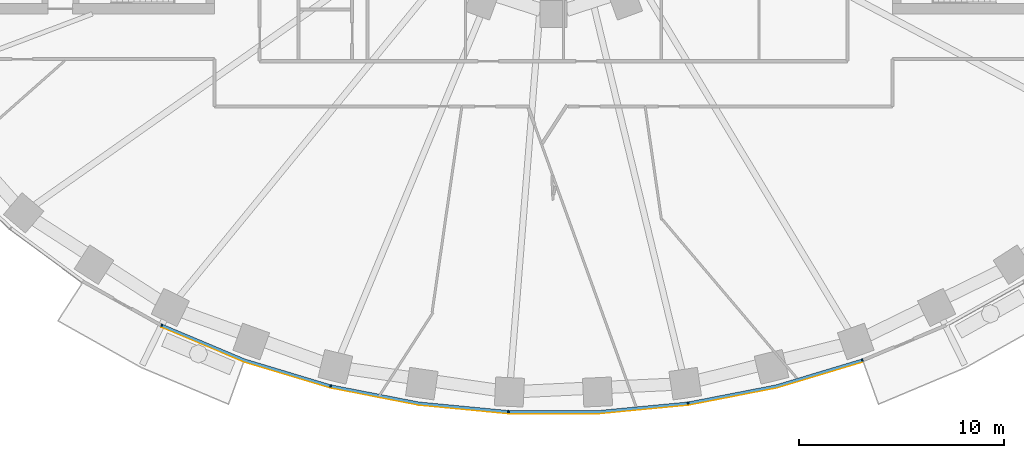
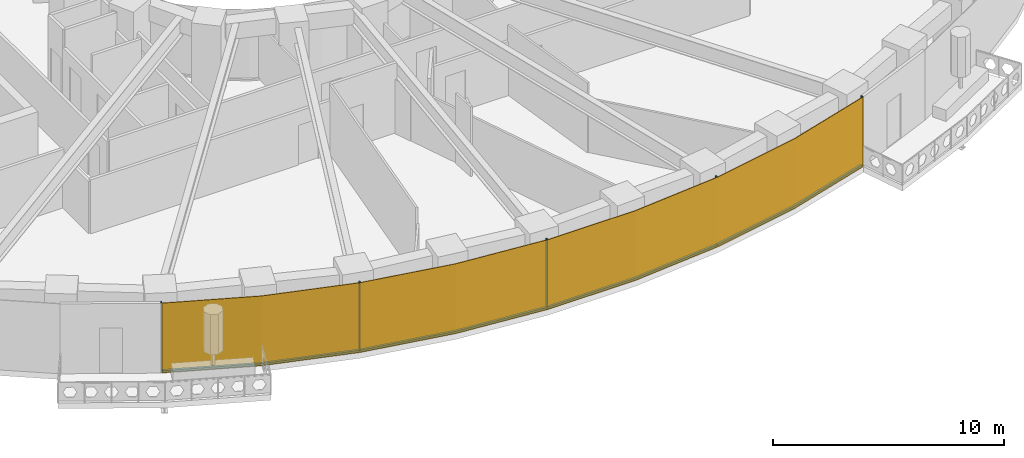
# One storey, part 9 of 15: 9 members, 1 curtain wall.
"""IFC4 building model written with IfcOpenShell, lengths in metres."""

import ifcopenshell
import ifcopenshell.guid

model = None  # the IFC model being written
_history = None  # IfcOwnerHistory: only IFC2X3 demands one
_inside = {}  # id of a spatial element -> (the spatial element, [elements in it])
_under = {}  # id of a project, library or spatial element -> (it, [spatial elements below it])
_declared = {}  # id of a project -> (the project, [libraries it declares])
_typed = {}  # id of a type object -> (the type object, [elements of that type])
_made_of = {}  # id of a material, layer set ... -> (it, [elements and type objects made of it])


def new_model(schema):
    """Start an empty IFC model of exactly this schema.

    Asked for "IFC4X3", IfcOpenShell would pick the latest addendum, in which some entities
    have other attributes; the version numbers below select the first issue.
    IFC2X3 requires an IfcOwnerHistory on every rooted entity: one is made here for all.
    """
    global model, _history
    if schema == "IFC4X3":
        model = ifcopenshell.file(schema_version=(4, 3, 0, 0))
    else:
        model = ifcopenshell.file(schema=schema)
    _inside.clear()
    _under.clear()
    _declared.clear()
    _typed.clear()
    _made_of.clear()
    _history = None
    if model.schema == "IFC2X3":
        org = make("IfcOrganization", Name="unknown")
        user = make(
            "IfcPersonAndOrganization",
            ThePerson=make("IfcPerson", FamilyName="unknown"),
            TheOrganization=org,
        )
        app = make(
            "IfcApplication",
            ApplicationDeveloper=org,
            Version="unknown",
            ApplicationFullName="unknown",
            ApplicationIdentifier="unknown",
        )
        _history = make(
            "IfcOwnerHistory",
            OwningUser=user,
            OwningApplication=app,
            ChangeAction="ADDED",
            CreationDate=0,
        )
    return model


def make(cls, **values):
    """One entity of the class cls with the attributes given. An attribute that is None is left unset."""
    return model.create_entity(
        cls, **{name: value for name, value in values.items() if value is not None}
    )


def rooted(cls, **values):
    """An entity with a GlobalId (a new one), such as an element, a storey or a relation."""
    return make(cls, GlobalId=ifcopenshell.guid.new(), OwnerHistory=_history, **values)


def si_unit(unit_type, name, prefix=None):
    """IfcSIUnit, for example si_unit("LENGTHUNIT", "METRE", prefix="MILLI")."""
    return make("IfcSIUnit", UnitType=unit_type, Prefix=prefix, Name=name)


def assignment(units):
    """IfcUnitAssignment: the units of a project."""
    return None if units is None else make("IfcUnitAssignment", Units=units)


def point(xyz):
    """IfcCartesianPoint."""
    return None if xyz is None else make("IfcCartesianPoint", Coordinates=xyz)


def direction(xyz):
    """IfcDirection."""
    return None if xyz is None else make("IfcDirection", DirectionRatios=xyz)


def frame(location, z_axis=None, x_axis=None):
    """IfcAxis2Placement3D, a coordinate frame: its origin and axes. An axis left out is left unset."""
    return make(
        "IfcAxis2Placement3D",
        Location=point(location),
        Axis=direction(z_axis),
        RefDirection=direction(x_axis),
    )


def frame_2d(location, x_axis=None):
    """IfcAxis2Placement2D, a coordinate frame in the plane: its origin and x axis."""
    return make(
        "IfcAxis2Placement2D", Location=point(location), RefDirection=direction(x_axis)
    )


def origin():
    """The frame at (0, 0, 0) with its axes left unset."""
    return frame((0.0, 0.0, 0.0))


def origin_2d():
    """The frame at (0, 0) in the plane with its x axis left unset."""
    return frame_2d((0.0, 0.0))


def place(relative_to, where):
    """IfcLocalPlacement: puts the frame where relative to a parent placement (None: the world)."""
    return make(
        "IfcLocalPlacement", PlacementRelTo=relative_to, RelativePlacement=where
    )


def context(
    kind, dimensions, precision=None, world=None, true_north=None, identifier=None
):
    """IfcGeometricRepresentationContext, for example the 3D "Model" context."""
    return make(
        "IfcGeometricRepresentationContext",
        ContextIdentifier=identifier,
        ContextType=kind,
        CoordinateSpaceDimension=dimensions,
        Precision=precision,
        WorldCoordinateSystem=world,
        TrueNorth=true_north,
    )


def subcontext(parent, identifier, kind, view, scale=None):
    """IfcGeometricRepresentationSubContext, for example "Body" below "Model"."""
    return make(
        "IfcGeometricRepresentationSubContext",
        ContextIdentifier=identifier,
        ContextType=kind,
        ParentContext=parent,
        TargetScale=scale,
        TargetView=view,
    )


def project(units=None, contexts=None):
    """IfcProject with its units and contexts."""
    return rooted(
        "IfcProject",
        Name="project",
        RepresentationContexts=contexts,
        UnitsInContext=assignment(units),
    )


def spatial(cls, under=None, at=None, **own):
    """A site, building, storey or space (cls), placed at a placement, below another one or the project."""
    s = rooted(cls, ObjectPlacement=at, **own)
    if under is not None:
        _under.setdefault(under.id(), (under, []))[1].append(s)
    return s


def polyline(points):
    """IfcPolyline through the points."""
    return make("IfcPolyline", Points=[point(p) for p in points])


def profile(cls, at=None, kind="AREA", **sizes):
    """A parametric profile (cls). Its sizes go by their IFC names, for example OverallWidth=200.0."""
    return make(cls, ProfileType=kind, Position=at, **sizes)


def rectangle(**sizes):
    """IfcRectangleProfileDef."""
    return profile("IfcRectangleProfileDef", **sizes)


def outline(outer, holes=None, kind="AREA"):
    """IfcArbitraryClosedProfileDef: a profile drawn as a closed curve; with holes, ...WithVoids."""
    if holes is None:
        return make("IfcArbitraryClosedProfileDef", ProfileType=kind, OuterCurve=outer)
    return make(
        "IfcArbitraryProfileDefWithVoids",
        ProfileType=kind,
        OuterCurve=outer,
        InnerCurves=holes,
    )


def extrude(swept, where, along, depth):
    """IfcExtrudedAreaSolid: the profile swept, set in the frame where, extruded along a direction by depth."""
    return make(
        "IfcExtrudedAreaSolid",
        SweptArea=swept,
        Position=where,
        ExtrudedDirection=direction(along),
        Depth=depth,
    )


def shape(context_of_items, identifier, shape_type, items):
    """IfcShapeRepresentation: the items that make up one representation, for example the "Body"."""
    return make(
        "IfcShapeRepresentation",
        ContextOfItems=context_of_items,
        RepresentationIdentifier=identifier,
        RepresentationType=shape_type,
        Items=items,
    )


def material(Name=None, Category=None):
    """IfcMaterial."""
    return make("IfcMaterial", Name=Name, Category=Category)


def layer(
    of_material, thickness, ventilated=None, Name=None, Category=None, Priority=None
):
    """IfcMaterialLayer: one layer of a wall or slab, of a material (None: an air gap)."""
    return make(
        "IfcMaterialLayer",
        Material=of_material,
        LayerThickness=thickness,
        IsVentilated=ventilated,
        Name=Name,
        Category=Category,
        Priority=Priority,
    )


def layer_set(layers, Name=None):
    """IfcMaterialLayerSet."""
    return make("IfcMaterialLayerSet", MaterialLayers=layers, LayerSetName=Name)


def material_profile(
    of_material, cross_section, Name=None, Category=None, Priority=None
):
    """IfcMaterialProfile: a cross section and its material."""
    return make(
        "IfcMaterialProfile",
        Name=Name,
        Material=of_material,
        Profile=cross_section,
        Priority=Priority,
        Category=Category,
    )


def profile_set(profiles, Name=None, composite=None):
    """IfcMaterialProfileSet."""
    return make(
        "IfcMaterialProfileSet",
        Name=Name,
        MaterialProfiles=profiles,
        CompositeProfile=composite,
    )


def made_of(thing, what):
    """Note that an element or type object is made of a material, layer set ...; save() writes the relation."""
    if what is not None:
        _made_of.setdefault(what.id(), (what, []))[1].append(thing)
    return thing


def type_object(cls, material=None, **own):
    """A type object (cls), such as IfcWallType, which elements share."""
    return made_of(rooted(cls, **own), material)


def element(
    cls,
    number,
    at=None,
    inside=None,
    cuts=None,
    type_object=None,
    material=None,
    context=None,
    identifier="Body",
    shape_type=None,
    held_by="IfcProductDefinitionShape",
    body=None,
    shapes=None,
    **own,
):
    """One element of the class cls, such as IfcWall. Its Tag is "e" and its number.

    at: its placement. inside: the storey or other place that contains it. cuts: it is an
    opening in that element (IfcRelVoidsElement). A single representation is given by context,
    identifier, shape_type and body (its items); several are given by shapes. held_by: the class
    of the entity that holds the representations. save() writes the other relations.
    """
    e = rooted(cls, Tag="e%d" % number, ObjectPlacement=at, **own)
    if body is not None:
        shapes = [shape(context, identifier, shape_type, body)]
    if shapes is not None:
        e.Representation = make(held_by, Representations=shapes)
    if inside is not None:
        _inside.setdefault(inside.id(), (inside, []))[1].append(e)
    if cuts is not None:
        rooted(
            "IfcRelVoidsElement", RelatingBuildingElement=cuts, RelatedOpeningElement=e
        )
    if type_object is not None:
        _typed.setdefault(type_object.id(), (type_object, []))[1].append(e)
    return made_of(e, material)


def aggregate(whole, parts):
    """IfcRelAggregates: a whole, such as a stair, and the parts it consists of."""
    return rooted("IfcRelAggregates", RelatingObject=whole, RelatedObjects=parts)


def save(model, path):
    """Write the relations noted so far, then the file.

    IfcRelAggregates (storeys below a building ...), IfcRelContainedInSpatialStructure (elements
    in a storey), IfcRelDefinesByType, IfcRelAssociatesMaterial and IfcRelDeclares: one each for
    every whole, place, type object, material and project.
    """
    for whole, parts in _under.values():
        aggregate(whole, parts)
    for where, things in _inside.values():
        rooted(
            "IfcRelContainedInSpatialStructure",
            RelatedElements=things,
            RelatingStructure=where,
        )
    for kind, things in _typed.values():
        rooted("IfcRelDefinesByType", RelatedObjects=things, RelatingType=kind)
    for what, things in _made_of.values():
        rooted("IfcRelAssociatesMaterial", RelatedObjects=things, RelatingMaterial=what)
    for by, libraries in _declared.values():
        rooted("IfcRelDeclares", RelatingContext=by, RelatedDefinitions=libraries)
    model.write(path)


model = new_model("IFC4")

# Units and contexts
model_context = context("Model", 3, precision=1e-05, world=origin(), true_north=direction((0.0, 1.0)))
body_context = subcontext(model_context, "Body", "Model", "MODEL_VIEW")
ifc_project = project(units=[si_unit("LENGTHUNIT", "METRE"), si_unit("AREAUNIT", "SQUARE_METRE"), si_unit("VOLUMEUNIT", "CUBIC_METRE"), si_unit("PLANEANGLEUNIT", "RADIAN"), si_unit("MASSUNIT", "GRAM", prefix="KILO")], contexts=[model_context])

# Member
ifc_material_1 = material(Name="Aluminium 6063-T6 black anodised", Category="aluminium")
ifc_material_profile = material_profile(ifc_material_1, rectangle(XDim=0.1201171875, YDim=0.06005859375, at=origin_2d()), Name="120x60")
ifc_profile_set = profile_set([ifc_material_profile], Name="Aluminium 6063-T6 black anodised")
member_type_1 = type_object("IfcMemberType", Name="ENV-MULLION-A-120", PredefinedType="MULLION", material=ifc_profile_set)
site_placement = place(None, origin())
building_placement = place(site_placement, origin())
storey_placement = place(building_placement, frame((0.0, 0.0, 62.5)))
member_1_placement = place(storey_placement, frame((-19.06787109375, -23.6474609375, 0.0), z_axis=(0.0, 0.0, 1.0), x_axis=(0.439237769837, 0.898370848563, 0.0)))
member_1 = element("IfcMember", 1, at=member_1_placement, type_object=member_type_1, Name="Mullion A radial 31", PredefinedType="MULLION", context=body_context, shape_type="SweptSolid", body=[
    extrude(rectangle(XDim=0.1201171875, YDim=0.06005859375, at=origin_2d()), origin(), (0.0, 0.0, 1.0), 3.699951171875),
])

member_2_placement = place(storey_placement, frame((-10.84326171875, -26.60498046875, 0.0), z_axis=(0.0, 0.0, 1.0), x_axis=(0.239799081534, 0.970822538106, 0.0)))
member_2 = element("IfcMember", 2, at=member_2_placement, type_object=member_type_1, Name="Mullion A radial 33", PredefinedType="MULLION", context=body_context, shape_type="SweptSolid", body=[
    extrude(rectangle(XDim=0.1201171875, YDim=0.06005859375, at=origin_2d()), origin(), (0.0, 0.0, 1.0), 3.699951171875),
])

member_3_placement = place(storey_placement, frame((-2.188720703125, -27.856201171875, 0.0), z_axis=(0.0, 0.0, 1.0), x_axis=(0.047557873581, 0.998868484166, 0.0)))
member_3 = element("IfcMember", 3, at=member_3_placement, type_object=member_type_1, Name="Mullion A radial 35", PredefinedType="MULLION", context=body_context, shape_type="SweptSolid", body=[
    extrude(rectangle(XDim=0.1201171875, YDim=0.06005859375, at=origin_2d()), origin(), (0.0, 0.0, 1.0), 3.699951171875),
])

member_4_placement = place(storey_placement, frame((6.54638671875, -27.440185546875, 0.0), z_axis=(0.0, 0.0, 1.0), x_axis=(-0.143082012705, 0.989710835366, 0.0)))
member_4 = element("IfcMember", 4, at=member_4_placement, type_object=member_type_1, Name="Mullion A radial 37", PredefinedType="MULLION", context=body_context, shape_type="SweptSolid", body=[
    extrude(rectangle(XDim=0.1201171875, YDim=0.06005859375, at=origin_2d()), origin(), (0.0, 0.0, 1.0), 3.699951171875),
])

member_5_placement = place(storey_placement, frame((15.0341796875, -25.34375, 0.0), z_axis=(0.0, 0.0, 1.0), x_axis=(-0.338379256581, 0.941009818608, 0.0)))
member_5 = element("IfcMember", 5, at=member_5_placement, type_object=member_type_1, Name="Mullion A radial 39", PredefinedType="MULLION", context=body_context, shape_type="SweptSolid", body=[
    extrude(rectangle(XDim=0.1201171875, YDim=0.06005859375, at=origin_2d()), origin(), (0.0, 0.0, 1.0), 3.699951171875),
])

ifc_material_2 = material(Name="Aluminium 6063-T6 black anodised", Category="aluminium")
member_type_2 = type_object("IfcMemberType", Name="ENV-TRANSOM-A", PredefinedType="USERDEFINED", material=ifc_material_2)
member_6_placement = place(storey_placement, origin())
member_6 = element("IfcMember", 6, at=member_6_placement, type_object=member_type_2, Name="Transom A radial 31-33", ObjectType="TRANSOM", PredefinedType="USERDEFINED", context=body_context, shape_type="SweptSolid", body=[
    extrude(outline(polyline([(-19.068359375, -23.71240234375), (-15.054443359375, -25.400146484375), (-10.884521484375, -26.655029296875), (-10.855712890625, -26.53857421875), (-15.013916015625, -25.287109375), (-19.015380859375, -23.604248046875), (-19.068359375, -23.71240234375)])), origin(), (0.0, 0.0, 1.0), 0.10009765625),
])

member_7_placement = place(storey_placement, origin())
member_7 = element("IfcMember", 7, at=member_7_placement, type_object=member_type_2, Name="Transom A radial 33-35", ObjectType="TRANSOM", PredefinedType="USERDEFINED", context=body_context, shape_type="SweptSolid", body=[
    extrude(outline(polyline([(-10.830078125, -26.66845703125), (-6.55517578125, -27.49951171875), (-2.219482421875, -27.913330078125), (-2.2138671875, -27.793212890625), (-6.537841796875, -27.380615234375), (-10.80126953125, -26.552001953125), (-10.830078125, -26.66845703125)])), origin(), (0.0, 0.0, 1.0), 0.10009765625),
])

member_8_placement = place(storey_placement, origin())
member_8 = element("IfcMember", 8, at=member_8_placement, type_object=member_type_2, Name="Transom A radial 35-37", ObjectType="TRANSOM", PredefinedType="USERDEFINED", context=body_context, shape_type="SweptSolid", body=[
    extrude(outline(polyline([(-2.163818359375, -27.916015625), (2.191650390625, -27.916015625), (6.527099609375, -27.502197265625), (6.510009765625, -27.38330078125), (2.185791015625, -27.7958984375), (-2.157958984375, -27.7958984375), (-2.163818359375, -27.916015625)])), origin(), (0.0, 0.0, 1.0), 0.10009765625),
])

member_9_placement = place(storey_placement, origin())
member_9 = element("IfcMember", 9, at=member_9_placement, type_object=member_type_2, Name="Transom A radial 37-39", ObjectType="TRANSOM", PredefinedType="USERDEFINED", context=body_context, shape_type="SweptSolid", body=[
    extrude(outline(polyline([(6.58251953125, -27.494140625), (10.857666015625, -26.6630859375), (15.027587890625, -25.408203125), (14.987060546875, -25.295166015625), (10.828857421875, -26.54638671875), (6.5654296875, -27.375244140625), (6.58251953125, -27.494140625)])), origin(), (0.0, 0.0, 1.0), 0.10009765625),
])

# Site, building, storey
site = spatial("IfcSite", under=ifc_project, at=site_placement, CompositionType="ELEMENT")
building = spatial("IfcBuilding", under=site, at=building_placement, Name="Noorbagh Ring Tower", CompositionType="ELEMENT")
storey = spatial("IfcBuildingStorey", under=building, at=storey_placement, Name="L13", CompositionType="ELEMENT", Elevation=62.5)

# Curtain wall
ifc_material_3 = material(Name="Glass dark tinted laminated", Category="glass")
ifc_layer = layer(ifc_material_3, 0.031982421875)
ifc_layer_set = layer_set([ifc_layer], Name="Glass dark tinted laminated")
curtain_wall_type = type_object("IfcCurtainWallType", Name="ENV-CW-A", PredefinedType="NOTDEFINED", material=ifc_layer_set)
curtain_wall_placement = place(storey_placement, origin())
curtain_wall = element("IfcCurtainWall", 10, at=curtain_wall_placement, inside=storey, type_object=curtain_wall_type, Name="Curtain wall A R31", PredefinedType="NOTDEFINED", context=body_context, shape_type="SweptSolid", body=[
    extrude(outline(polyline([(-19.08984375, -23.738037109375), (-15.065185546875, -25.430419921875), (-10.865234375, -26.6943359375), (-6.559814453125, -27.53125), (-2.193115234375, -27.947998046875), (2.193115234375, -27.947998046875), (6.559814453125, -27.53125), (10.865234375, -26.6943359375), (15.046142578125, -25.43603515625), (15.035400390625, -25.406005859375), (10.857666015625, -26.6630859375), (6.55517578125, -27.49951171875), (2.191650390625, -27.916015625), (-2.191650390625, -27.916015625), (-6.55517578125, -27.49951171875), (-10.857666015625, -26.6630859375), (-15.054443359375, -25.400146484375), (-19.07568359375, -23.709228515625), (-19.08984375, -23.738037109375)])), origin(), (0.0, 0.0, 1.0), 3.699951171875),
])

aggregate(curtain_wall, [member_1, member_2, member_3, member_4, member_5, member_6, member_7, member_8, member_9])

save(model, "model.ifc")
